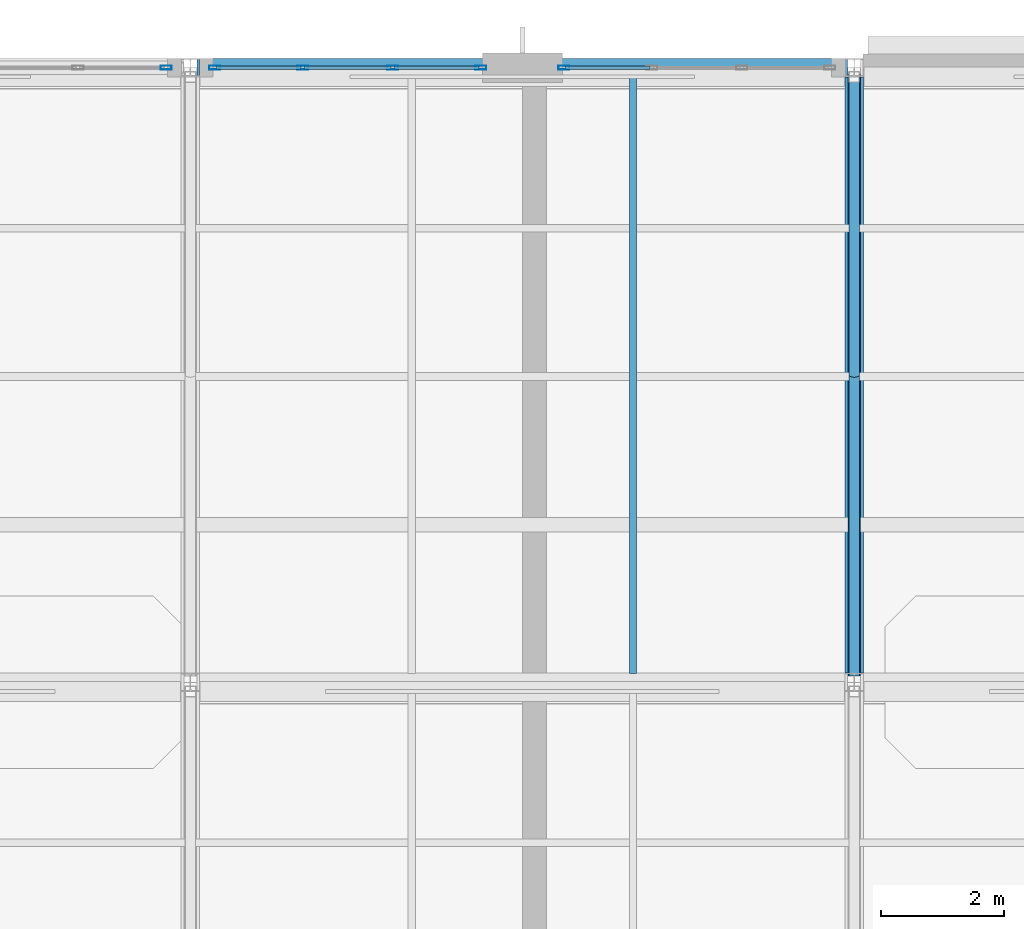
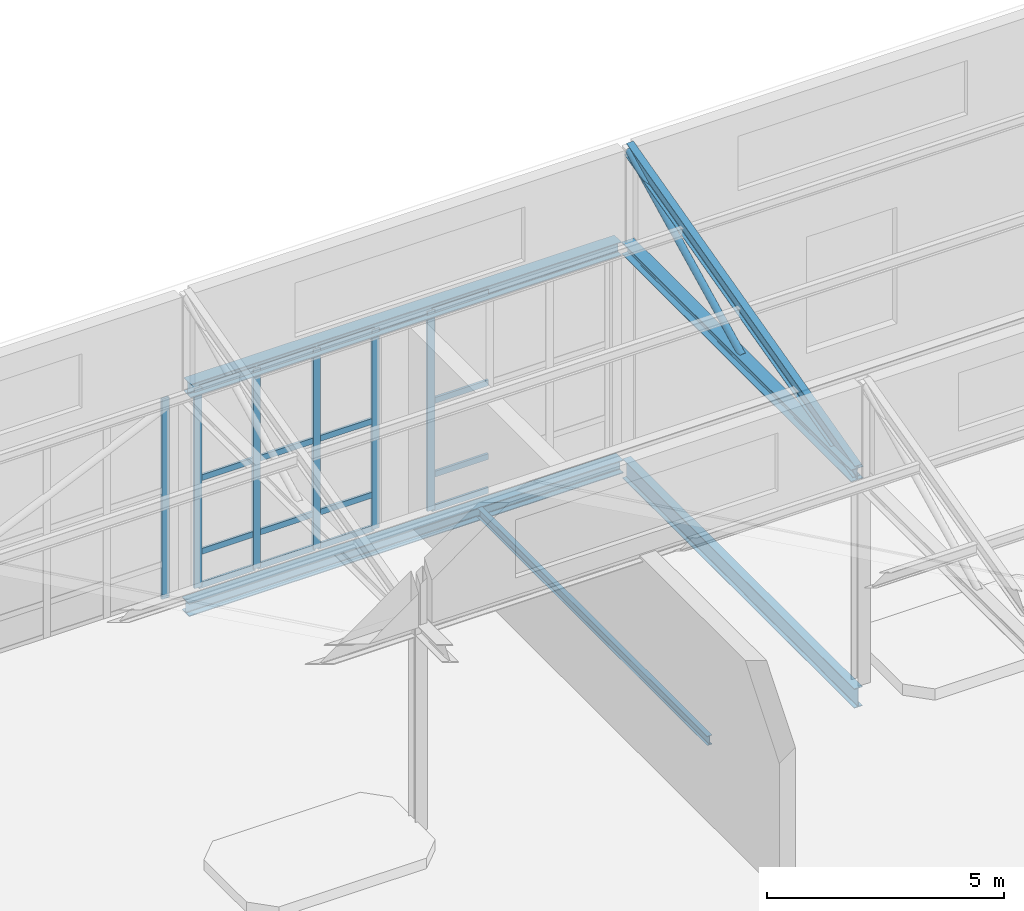
# One storey, part 21 of 49: 25 members, 4 beams, 3 elements without a shape of their own.
"""IFC4 building model written with IfcOpenShell, lengths in metres."""

from ifc_helpers import new_model, si_unit, direction, frame, origin, origin_2d, place, context, subcontext, project, spatial, hollow_rectangle, hollow_circle, i_section, extrude, material, layer, layer_set, material_profile, profile_set, type_object, element, aggregate, save


model = new_model("IFC4")

# Units and contexts
model_context = context("Model", 3, precision=1e-05, world=origin(), true_north=direction((0.0, 1.0)))
body_context = subcontext(model_context, "Body", "Model", "MODEL_VIEW")
ifc_project = project(units=[si_unit("LENGTHUNIT", "METRE"), si_unit("AREAUNIT", "SQUARE_METRE"), si_unit("VOLUMEUNIT", "CUBIC_METRE"), si_unit("PLANEANGLEUNIT", "RADIAN"), si_unit("MASSUNIT", "GRAM", prefix="KILO")], contexts=[model_context])

# Site, building, storey
site_placement = place(None, origin())
site = spatial("IfcSite", under=ifc_project, at=site_placement, CompositionType="ELEMENT")
building_placement = place(site_placement, origin())
building = spatial("IfcBuilding", under=site, at=building_placement, Name="Tasgan Crest Museum", CompositionType="ELEMENT")
storey_placement = place(building_placement, frame((0.0, 0.0, 28.800048828125)))
storey = spatial("IfcBuildingStorey", under=building, at=storey_placement, Name="L05", CompositionType="ELEMENT", Elevation=28.800048828125)

# Beams
ifc_material_1 = material(Name="Steel S355J2", Category="steel")
ifc_material_profile_1 = material_profile(ifc_material_1, i_section(OverallWidth=0.300048828125, OverallDepth=0.35009765625, WebThickness=0.009521484375, FlangeThickness=0.017578125, FilletRadius=0.027099609375, at=origin_2d()), Name="HEA 360")
ifc_profile_set_1 = profile_set([ifc_material_profile_1], Name="Steel S355J2")
beam_type_1 = type_object("IfcBeamType", Name="BM-G-HEA360", PredefinedType="BEAM", material=ifc_profile_set_1)
beam_1_placement = place(storey_placement, frame((32.550048828125, 112.0, 5.219970703125), z_axis=(1.0, 0.0, 0.0), x_axis=(0.0, 1.0, 0.0)))
element("IfcBeam", 1, at=beam_1_placement, inside=storey, type_object=beam_type_1, Name="Sawtooth north eave girder 32.4-43.2", PredefinedType="BEAM", context=body_context, shape_type="SweptSolid", body=[
    extrude(i_section(OverallWidth=0.300048828125, OverallDepth=0.35009765625, WebThickness=0.009521484375, FlangeThickness=0.017578125, FilletRadius=0.027099609375, at=origin_2d()), origin(), (0.0, 0.0, 1.0), 10.5),
])
ifc_material_2 = material(Name="Steel S355J2", Category="steel")
ifc_material_profile_2 = material_profile(ifc_material_2, i_section(OverallWidth=0.300048828125, OverallDepth=0.340087890625, WebThickness=0.011962890625, FlangeThickness=0.021484375, FilletRadius=0.027099609375, at=origin_2d()), Name="HEB 340")
ifc_profile_set_2 = profile_set([ifc_material_profile_2], Name="Steel S355J2")
beam_type_2 = type_object("IfcBeamType", Name="BM-G-HEB340", PredefinedType="BEAM", material=ifc_profile_set_2)
beam_2_placement = place(storey_placement, frame((32.506103515625, 112.0, -0.41015625), z_axis=(1.0, 0.0, 0.0), x_axis=(0.0, 1.0, 0.0)))
element("IfcBeam", 2, at=beam_2_placement, inside=storey, type_object=beam_type_2, Name="Girder L05 M 32.4-43.2", PredefinedType="BEAM", context=body_context, shape_type="SweptSolid", body=[
    extrude(i_section(OverallWidth=0.300048828125, OverallDepth=0.340087890625, WebThickness=0.011962890625, FlangeThickness=0.021484375, FilletRadius=0.027099609375, at=origin_2d()), origin(), (0.0, 0.0, 1.0), 10.587890625),
])
ifc_material_3 = material(Name="Steel S355J2", Category="steel")
ifc_material_profile_3 = material_profile(ifc_material_3, i_section(OverallWidth=0.199951171875, OverallDepth=0.5, WebThickness=0.01025390625, FlangeThickness=0.01611328125, FilletRadius=0.02099609375, at=origin_2d()), Name="IPE 500")
ifc_profile_set_3 = profile_set([ifc_material_profile_3], Name="Steel S355J2")
beam_type_3 = type_object("IfcBeamType", Name="BM-G-IPE500", PredefinedType="BEAM", material=ifc_profile_set_3)
beam_3_placement = place(storey_placement, frame((43.199951171875, 102.10498046875, -0.489990234375), z_axis=(0.0, 1.0, 0.0), x_axis=(-1.0, 0.0, 0.0)))
element("IfcBeam", 3, at=beam_3_placement, inside=storey, type_object=beam_type_3, Name="Beam L05 5 102.0-112.0", PredefinedType="BEAM", context=body_context, shape_type="SweptSolid", body=[
    extrude(i_section(OverallWidth=0.199951171875, OverallDepth=0.5, WebThickness=0.01025390625, FlangeThickness=0.01611328125, FilletRadius=0.02099609375, at=origin_2d()), origin(), (0.0, 0.0, 1.0), 9.7900390625),
])
ifc_material_4 = material(Name="Steel S355J2", Category="steel")
ifc_material_profile_4 = material_profile(ifc_material_4, i_section(OverallWidth=0.1201171875, OverallDepth=0.239990234375, WebThickness=0.006103515625, FlangeThickness=0.009765625, FilletRadius=0.014892578125, at=origin_2d()), Name="IPE 240")
ifc_profile_set_4 = profile_set([ifc_material_profile_4], Name="Steel S355J2")
beam_type_4 = type_object("IfcBeamType", Name="BM-J-IPE240", PredefinedType="JOIST", material=ifc_profile_set_4)
beam_4_placement = place(storey_placement, frame((39.60009765625, 102.14501953125, -0.360107421875), z_axis=(0.0, 1.0, 0.0), x_axis=(-1.0, 0.0, 0.0)))
element("IfcBeam", 4, at=beam_4_placement, inside=storey, type_object=beam_type_4, Name="Secondary joist L05 X=39.6 Y=102.0-112.0", PredefinedType="JOIST", context=body_context, shape_type="SweptSolid", body=[
    extrude(i_section(OverallWidth=0.1201171875, OverallDepth=0.239990234375, WebThickness=0.006103515625, FlangeThickness=0.009765625, FilletRadius=0.014892578125, at=origin_2d()), origin(), (0.0, 0.0, 1.0), 9.7099609375),
])

# Curtain wall, member
ifc_material_5 = material(Name="Triple-Glazed Aluminium Curtain Wall", Category="aluminium")
ifc_layer = layer(ifc_material_5, 0.179931640625, Name="CW-GAL-X-54")
ifc_layer_set = layer_set([ifc_layer], Name="Triple-Glazed Aluminium Curtain Wall")
curtain_wall_type = type_object("IfcCurtainWallType", Name="CW-GAL-X-54", PredefinedType="NOTDEFINED", material=ifc_layer_set)
curtain_wall_1_placement = place(storey_placement, origin())
curtain_wall_1 = element("IfcCurtainWall", 5, at=curtain_wall_1_placement, inside=storey, type_object=curtain_wall_type, Name="Curtain wall L05 205", PredefinedType="NOTDEFINED")
ifc_material_6 = material(Name="Anodised Aluminium", Category="aluminium")
ifc_material_profile_5 = material_profile(ifc_material_6, hollow_rectangle(XDim=0.06494140625, YDim=0.179931640625, WallThickness=0.0048828125, at=origin_2d()), Name="ALU MULLION 180x65x5")
ifc_profile_set_5 = profile_set([ifc_material_profile_5], Name="Anodised Aluminium")
member_type_1 = type_object("IfcMemberType", Name="CW-MULLION-180", PredefinedType="MULLION", material=ifc_profile_set_5)
member_1_placement = place(storey_placement, frame((38.47509765625, 112.0, 0.0), z_axis=(0.0, 0.0, 1.0), x_axis=(0.0, -1.0, 0.0)))
member_1 = element("IfcMember", 6, at=member_1_placement, type_object=member_type_1, Name="CW15 mullion 4", PredefinedType="MULLION", context=body_context, shape_type="SweptSolid", body=[
    extrude(hollow_rectangle(XDim=0.06494140625, YDim=0.179931640625, WallThickness=0.0048828125, at=origin_2d()), origin(), (0.0, 0.0, 1.0), 5.159912109375),
])

# Curtain wall, members
curtain_wall_2_placement = place(storey_placement, origin())
curtain_wall_2 = element("IfcCurtainWall", 7, at=curtain_wall_2_placement, inside=storey, type_object=curtain_wall_type, Name="Curtain wall L05 206", PredefinedType="NOTDEFINED")
member_2_placement = place(storey_placement, frame((37.125, 112.0, 0.0), z_axis=(0.0, 0.0, 1.0), x_axis=(0.0, -1.0, 0.0)))
member_2 = element("IfcMember", 8, at=member_2_placement, type_object=member_type_1, Name="CW15 mullion 1", PredefinedType="MULLION", context=body_context, shape_type="SweptSolid", body=[
    extrude(hollow_rectangle(XDim=0.06494140625, YDim=0.179931640625, WallThickness=0.0048828125, at=origin_2d()), origin(), (0.0, 0.0, 1.0), 5.159912109375),
])
member_3_placement = place(storey_placement, frame((35.691650390625, 112.0, 0.0), z_axis=(0.0, 0.0, 1.0), x_axis=(0.0, -1.0, 0.0)))
member_3 = element("IfcMember", 9, at=member_3_placement, type_object=member_type_1, Name="CW15 mullion 2", PredefinedType="MULLION", context=body_context, shape_type="SweptSolid", body=[
    extrude(hollow_rectangle(XDim=0.06494140625, YDim=0.179931640625, WallThickness=0.0048828125, at=origin_2d()), origin(), (0.0, 0.0, 1.0), 5.159912109375),
])
member_4_placement = place(storey_placement, frame((34.228271484375, 112.0, 0.0), z_axis=(0.0, 0.0, 1.0), x_axis=(0.0, -1.0, 0.0)))
member_4 = element("IfcMember", 10, at=member_4_placement, type_object=member_type_1, Name="CW15 mullion 3", PredefinedType="MULLION", context=body_context, shape_type="SweptSolid", body=[
    extrude(hollow_rectangle(XDim=0.06494140625, YDim=0.179931640625, WallThickness=0.0048828125, at=origin_2d()), origin(), (0.0, 0.0, 1.0), 5.159912109375),
])
member_5_placement = place(storey_placement, frame((32.794921875, 112.0, 0.0), z_axis=(0.0, 0.0, 1.0), x_axis=(0.0, -1.0, 0.0)))
member_5 = element("IfcMember", 11, at=member_5_placement, type_object=member_type_1, Name="CW15 mullion 4", PredefinedType="MULLION", context=body_context, shape_type="SweptSolid", body=[
    extrude(hollow_rectangle(XDim=0.06494140625, YDim=0.179931640625, WallThickness=0.0048828125, at=origin_2d()), origin(), (0.0, 0.0, 1.0), 5.159912109375),
])

# Curtain wall, member
curtain_wall_3_placement = place(storey_placement, origin())
curtain_wall_3 = element("IfcCurtainWall", 12, at=curtain_wall_3_placement, inside=storey, type_object=curtain_wall_type, Name="Curtain wall L05 207", PredefinedType="NOTDEFINED")
member_6_placement = place(storey_placement, frame((32.0048828125, 112.0, 0.0), z_axis=(0.0, 0.0, 1.0), x_axis=(0.0, -1.0, 0.0)))
member_6 = element("IfcMember", 13, at=member_6_placement, type_object=member_type_1, Name="CW15 mullion 1", PredefinedType="MULLION", context=body_context, shape_type="SweptSolid", body=[
    extrude(hollow_rectangle(XDim=0.06494140625, YDim=0.179931640625, WallThickness=0.0048828125, at=origin_2d()), origin(), (0.0, 0.0, 1.0), 5.159912109375),
])
aggregate(curtain_wall_3, [member_6])

# Member
ifc_material_7 = material(Name="Anodised Aluminium", Category="aluminium")
ifc_material_profile_6 = material_profile(ifc_material_7, hollow_rectangle(XDim=0.06005859375, YDim=0.14990234375, WallThickness=0.0048828125, at=origin_2d()), Name="ALU TRANSOM 150x60x5")
ifc_profile_set_6 = profile_set([ifc_material_profile_6], Name="Anodised Aluminium")
member_type_2 = type_object("IfcMemberType", Name="CW-TRANSOM-150", PredefinedType="USERDEFINED", material=ifc_profile_set_6)
member_7_placement = place(storey_placement, frame((39.87841796875, 112.0, 0.030029296875), z_axis=(-1.0, 0.0, 0.0), x_axis=(0.0, -1.0, 0.0)))
member_7 = element("IfcMember", 14, at=member_7_placement, type_object=member_type_2, Name="CW15 transom 3.1", ObjectType="TRANSOM", PredefinedType="USERDEFINED", context=body_context, shape_type="SweptSolid", body=[
    extrude(hollow_rectangle(XDim=0.06005859375, YDim=0.14990234375, WallThickness=0.0048828125, at=origin_2d()), origin(), (0.0, 0.0, 1.0), 1.37353515625),
])

member_8_placement = place(storey_placement, frame((39.87841796875, 112.0, 0.89990234375), z_axis=(-1.0, 0.0, 0.0), x_axis=(0.0, -1.0, 0.0)))
member_8 = element("IfcMember", 15, at=member_8_placement, type_object=member_type_2, Name="CW15 transom 3.2", ObjectType="TRANSOM", PredefinedType="USERDEFINED", context=body_context, shape_type="SweptSolid", body=[
    extrude(hollow_rectangle(XDim=0.06005859375, YDim=0.14990234375, WallThickness=0.0048828125, at=origin_2d()), origin(), (0.0, 0.0, 1.0), 1.37353515625),
])

member_9_placement = place(storey_placement, frame((39.87841796875, 112.0, 2.800048828125), z_axis=(-1.0, 0.0, 0.0), x_axis=(0.0, -1.0, 0.0)))
member_9 = element("IfcMember", 16, at=member_9_placement, type_object=member_type_2, Name="CW15 transom 3.3", ObjectType="TRANSOM", PredefinedType="USERDEFINED", context=body_context, shape_type="SweptSolid", body=[
    extrude(hollow_rectangle(XDim=0.06005859375, YDim=0.14990234375, WallThickness=0.0048828125, at=origin_2d()), origin(), (0.0, 0.0, 1.0), 1.37353515625),
])

member_10_placement = place(storey_placement, frame((39.87841796875, 112.0, 5.1298828125), z_axis=(-1.0, 0.0, 0.0), x_axis=(0.0, -1.0, 0.0)))
member_10 = element("IfcMember", 17, at=member_10_placement, type_object=member_type_2, Name="CW15 transom 3.4", ObjectType="TRANSOM", PredefinedType="USERDEFINED", context=body_context, shape_type="SweptSolid", body=[
    extrude(hollow_rectangle(XDim=0.06005859375, YDim=0.14990234375, WallThickness=0.0048828125, at=origin_2d()), origin(), (0.0, 0.0, 1.0), 1.37353515625),
])

aggregate(curtain_wall_1, [member_1, member_7, member_8, member_9, member_10])

member_11_placement = place(storey_placement, frame((37.094970703125, 112.0, 0.030029296875), z_axis=(-1.0, 0.0, 0.0), x_axis=(0.0, -1.0, 0.0)))
member_11 = element("IfcMember", 18, at=member_11_placement, type_object=member_type_2, Name="CW15 transom 1.1", ObjectType="TRANSOM", PredefinedType="USERDEFINED", context=body_context, shape_type="SweptSolid", body=[
    extrude(hollow_rectangle(XDim=0.06005859375, YDim=0.14990234375, WallThickness=0.0048828125, at=origin_2d()), origin(), (0.0, 0.0, 1.0), 1.373291015625),
])

member_12_placement = place(storey_placement, frame((37.094970703125, 112.0, 0.89990234375), z_axis=(-1.0, 0.0, 0.0), x_axis=(0.0, -1.0, 0.0)))
member_12 = element("IfcMember", 19, at=member_12_placement, type_object=member_type_2, Name="CW15 transom 1.2", ObjectType="TRANSOM", PredefinedType="USERDEFINED", context=body_context, shape_type="SweptSolid", body=[
    extrude(hollow_rectangle(XDim=0.06005859375, YDim=0.14990234375, WallThickness=0.0048828125, at=origin_2d()), origin(), (0.0, 0.0, 1.0), 1.373291015625),
])

member_13_placement = place(storey_placement, frame((37.094970703125, 112.0, 2.800048828125), z_axis=(-1.0, 0.0, 0.0), x_axis=(0.0, -1.0, 0.0)))
member_13 = element("IfcMember", 20, at=member_13_placement, type_object=member_type_2, Name="CW15 transom 1.3", ObjectType="TRANSOM", PredefinedType="USERDEFINED", context=body_context, shape_type="SweptSolid", body=[
    extrude(hollow_rectangle(XDim=0.06005859375, YDim=0.14990234375, WallThickness=0.0048828125, at=origin_2d()), origin(), (0.0, 0.0, 1.0), 1.373291015625),
])

member_14_placement = place(storey_placement, frame((37.094970703125, 112.0, 5.1298828125), z_axis=(-1.0, 0.0, 0.0), x_axis=(0.0, -1.0, 0.0)))
member_14 = element("IfcMember", 21, at=member_14_placement, type_object=member_type_2, Name="CW15 transom 1.4", ObjectType="TRANSOM", PredefinedType="USERDEFINED", context=body_context, shape_type="SweptSolid", body=[
    extrude(hollow_rectangle(XDim=0.06005859375, YDim=0.14990234375, WallThickness=0.0048828125, at=origin_2d()), origin(), (0.0, 0.0, 1.0), 1.373291015625),
])

member_15_placement = place(storey_placement, frame((35.66162109375, 112.0, 0.030029296875), z_axis=(-1.0, 0.0, 0.0), x_axis=(0.0, -1.0, 0.0)))
member_15 = element("IfcMember", 22, at=member_15_placement, type_object=member_type_2, Name="CW15 transom 2.1", ObjectType="TRANSOM", PredefinedType="USERDEFINED", context=body_context, shape_type="SweptSolid", body=[
    extrude(hollow_rectangle(XDim=0.06005859375, YDim=0.14990234375, WallThickness=0.0048828125, at=origin_2d()), origin(), (0.0, 0.0, 1.0), 1.4033203125),
])

member_16_placement = place(storey_placement, frame((35.66162109375, 112.0, 0.89990234375), z_axis=(-1.0, 0.0, 0.0), x_axis=(0.0, -1.0, 0.0)))
member_16 = element("IfcMember", 23, at=member_16_placement, type_object=member_type_2, Name="CW15 transom 2.2", ObjectType="TRANSOM", PredefinedType="USERDEFINED", context=body_context, shape_type="SweptSolid", body=[
    extrude(hollow_rectangle(XDim=0.06005859375, YDim=0.14990234375, WallThickness=0.0048828125, at=origin_2d()), origin(), (0.0, 0.0, 1.0), 1.4033203125),
])

member_17_placement = place(storey_placement, frame((35.66162109375, 112.0, 2.800048828125), z_axis=(-1.0, 0.0, 0.0), x_axis=(0.0, -1.0, 0.0)))
member_17 = element("IfcMember", 24, at=member_17_placement, type_object=member_type_2, Name="CW15 transom 2.3", ObjectType="TRANSOM", PredefinedType="USERDEFINED", context=body_context, shape_type="SweptSolid", body=[
    extrude(hollow_rectangle(XDim=0.06005859375, YDim=0.14990234375, WallThickness=0.0048828125, at=origin_2d()), origin(), (0.0, 0.0, 1.0), 1.4033203125),
])

member_18_placement = place(storey_placement, frame((35.66162109375, 112.0, 5.1298828125), z_axis=(-1.0, 0.0, 0.0), x_axis=(0.0, -1.0, 0.0)))
member_18 = element("IfcMember", 25, at=member_18_placement, type_object=member_type_2, Name="CW15 transom 2.4", ObjectType="TRANSOM", PredefinedType="USERDEFINED", context=body_context, shape_type="SweptSolid", body=[
    extrude(hollow_rectangle(XDim=0.06005859375, YDim=0.14990234375, WallThickness=0.0048828125, at=origin_2d()), origin(), (0.0, 0.0, 1.0), 1.4033203125),
])

member_19_placement = place(storey_placement, frame((34.1982421875, 112.0, 0.030029296875), z_axis=(-1.0, 0.0, 0.0), x_axis=(0.0, -1.0, 0.0)))
member_19 = element("IfcMember", 26, at=member_19_placement, type_object=member_type_2, Name="CW15 transom 3.1", ObjectType="TRANSOM", PredefinedType="USERDEFINED", context=body_context, shape_type="SweptSolid", body=[
    extrude(hollow_rectangle(XDim=0.06005859375, YDim=0.14990234375, WallThickness=0.0048828125, at=origin_2d()), origin(), (0.0, 0.0, 1.0), 1.373291015625),
])

member_20_placement = place(storey_placement, frame((34.1982421875, 112.0, 0.89990234375), z_axis=(-1.0, 0.0, 0.0), x_axis=(0.0, -1.0, 0.0)))
member_20 = element("IfcMember", 27, at=member_20_placement, type_object=member_type_2, Name="CW15 transom 3.2", ObjectType="TRANSOM", PredefinedType="USERDEFINED", context=body_context, shape_type="SweptSolid", body=[
    extrude(hollow_rectangle(XDim=0.06005859375, YDim=0.14990234375, WallThickness=0.0048828125, at=origin_2d()), origin(), (0.0, 0.0, 1.0), 1.373291015625),
])

member_21_placement = place(storey_placement, frame((34.1982421875, 112.0, 2.800048828125), z_axis=(-1.0, 0.0, 0.0), x_axis=(0.0, -1.0, 0.0)))
member_21 = element("IfcMember", 28, at=member_21_placement, type_object=member_type_2, Name="CW15 transom 3.3", ObjectType="TRANSOM", PredefinedType="USERDEFINED", context=body_context, shape_type="SweptSolid", body=[
    extrude(hollow_rectangle(XDim=0.06005859375, YDim=0.14990234375, WallThickness=0.0048828125, at=origin_2d()), origin(), (0.0, 0.0, 1.0), 1.373291015625),
])

member_22_placement = place(storey_placement, frame((34.1982421875, 112.0, 5.1298828125), z_axis=(-1.0, 0.0, 0.0), x_axis=(0.0, -1.0, 0.0)))
member_22 = element("IfcMember", 29, at=member_22_placement, type_object=member_type_2, Name="CW15 transom 3.4", ObjectType="TRANSOM", PredefinedType="USERDEFINED", context=body_context, shape_type="SweptSolid", body=[
    extrude(hollow_rectangle(XDim=0.06005859375, YDim=0.14990234375, WallThickness=0.0048828125, at=origin_2d()), origin(), (0.0, 0.0, 1.0), 1.373291015625),
])

aggregate(curtain_wall_2, [member_2, member_3, member_4, member_5, member_11, member_12, member_13, member_14, member_15, member_16, member_17, member_18, member_19, member_20, member_21, member_22])

# Members
ifc_material_8 = material(Name="Steel S355K2", Category="steel")
ifc_material_profile_7 = material_profile(ifc_material_8, i_section(OverallWidth=0.300048828125, OverallDepth=0.31005859375, WebThickness=0.009033203125, FlangeThickness=0.015380859375, FilletRadius=0.027099609375, at=origin_2d()), Name="HEA 320")
ifc_profile_set_7 = profile_set([ifc_material_profile_7], Name="Steel S355K2")
member_type_3 = type_object("IfcMemberType", Name="TR-SAW-CHORD", PredefinedType="CHORD", material=ifc_profile_set_7)
member_23_placement = place(storey_placement, frame((43.199951171875, 102.14990234375, 5.239990234375), z_axis=(0.0, 1.0, 0.0), x_axis=(-1.0, 0.0, 0.0)))
element("IfcMember", 30, at=member_23_placement, inside=storey, type_object=member_type_3, Name="Roof truss bottom chord B3 5", PredefinedType="CHORD", context=body_context, shape_type="SweptSolid", body=[
    extrude(i_section(OverallWidth=0.300048828125, OverallDepth=0.31005859375, WebThickness=0.009033203125, FlangeThickness=0.015380859375, FilletRadius=0.027099609375, at=origin_2d()), origin(), (0.0, 0.0, 1.0), 9.7001953125),
])
ifc_material_9 = material(Name="Steel S355K2", Category="steel")
ifc_material_profile_8 = material_profile(ifc_material_9, hollow_circle(Radius=0.084228515625, WallThickness=0.008056640625, at=origin_2d()), Name="CHS 168.3x8")
ifc_profile_set_8 = profile_set([ifc_material_profile_8], Name="Steel S355K2")
member_type_4 = type_object("IfcMemberType", Name="TR-SAW-DIAG", PredefinedType="BRACE", material=ifc_profile_set_8)
member_24_placement = place(storey_placement, frame((43.199951171875, 107.0, 5.349853515625), z_axis=(0.0, 0.894418092416, 0.447231792205), x_axis=(-1.0, 0.0, 0.0)))
element("IfcMember", 31, at=member_24_placement, inside=storey, type_object=member_type_4, Name="Roof truss diagonal B3 5", PredefinedType="BRACE", context=body_context, shape_type="SweptSolid", body=[
    extrude(hollow_circle(Radius=0.084228515625, WallThickness=0.008056640625, at=origin_2d()), origin(), (0.0, 0.0, 1.0), 5.36669921875),
])
ifc_material_10 = material(Name="Steel S355K2", Category="steel")
ifc_material_profile_9 = material_profile(ifc_material_10, i_section(OverallWidth=0.169921875, OverallDepth=0.360107421875, WebThickness=0.008056640625, FlangeThickness=0.0126953125, FilletRadius=0.01806640625, at=origin_2d()), Name="IPE 360")
ifc_profile_set_9 = profile_set([ifc_material_profile_9], Name="Steel S355K2")
member_type_5 = type_object("IfcMemberType", Name="TR-SAW-RAFTER", PredefinedType="RAFTER", material=ifc_profile_set_9)
member_25_placement = place(storey_placement, frame((43.199951171875, 102.14990234375, 5.320068359375), z_axis=(0.0, 0.968528888954, 0.248901167657), x_axis=(-1.0, 0.0, 0.0)))
element("IfcMember", 32, at=member_25_placement, inside=storey, type_object=member_type_5, Name="Roof truss rafter B3 5", PredefinedType="RAFTER", context=body_context, shape_type="SweptSolid", body=[
    extrude(i_section(OverallWidth=0.169921875, OverallDepth=0.360107421875, WebThickness=0.008056640625, FlangeThickness=0.0126953125, FilletRadius=0.01806640625, at=origin_2d()), origin(), (0.0, 0.0, 1.0), 9.963623046875),
])

save(model, "model.ifc")
